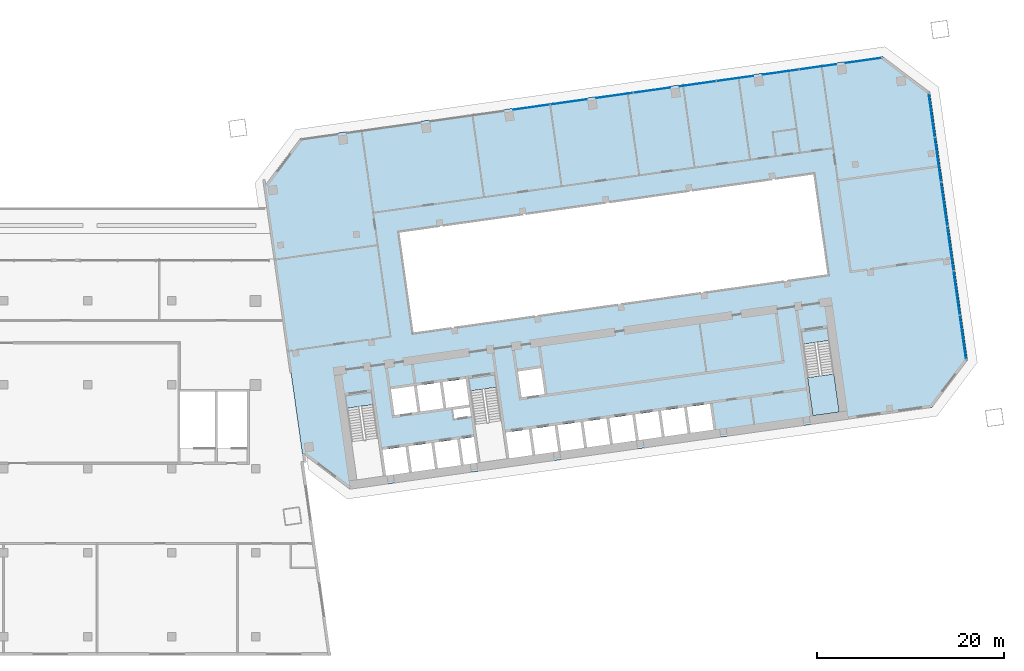
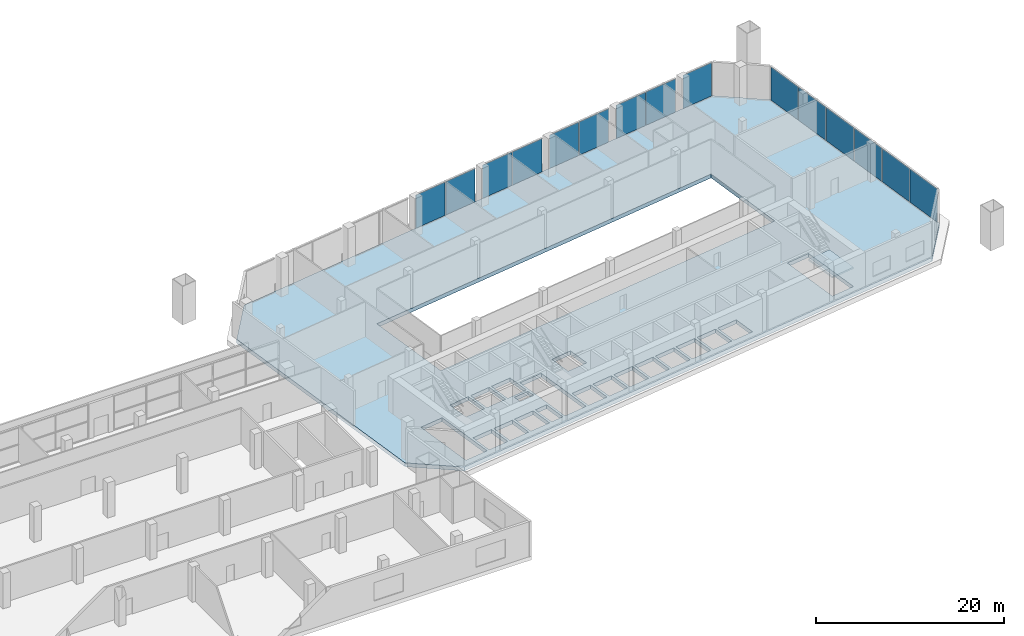
# One storey, part 9 of 21: 15 plates, 2 slabs, 3 elements without a shape of their own.
"""IFC4 building model written with IfcOpenShell, lengths in metres."""

import ifcopenshell
import ifcopenshell.guid

model = None  # the IFC model being written
_history = None  # IfcOwnerHistory: only IFC2X3 demands one
_inside = {}  # id of a spatial element -> (the spatial element, [elements in it])
_under = {}  # id of a project, library or spatial element -> (it, [spatial elements below it])
_declared = {}  # id of a project -> (the project, [libraries it declares])
_typed = {}  # id of a type object -> (the type object, [elements of that type])
_made_of = {}  # id of a material, layer set ... -> (it, [elements and type objects made of it])


def new_model(schema):
    """Start an empty IFC model of exactly this schema.

    Asked for "IFC4X3", IfcOpenShell would pick the latest addendum, in which some entities
    have other attributes; the version numbers below select the first issue.
    IFC2X3 requires an IfcOwnerHistory on every rooted entity: one is made here for all.
    """
    global model, _history
    if schema == "IFC4X3":
        model = ifcopenshell.file(schema_version=(4, 3, 0, 0))
    else:
        model = ifcopenshell.file(schema=schema)
    _inside.clear()
    _under.clear()
    _declared.clear()
    _typed.clear()
    _made_of.clear()
    _history = None
    if model.schema == "IFC2X3":
        org = make("IfcOrganization", Name="unknown")
        user = make(
            "IfcPersonAndOrganization",
            ThePerson=make("IfcPerson", FamilyName="unknown"),
            TheOrganization=org,
        )
        app = make(
            "IfcApplication",
            ApplicationDeveloper=org,
            Version="unknown",
            ApplicationFullName="unknown",
            ApplicationIdentifier="unknown",
        )
        _history = make(
            "IfcOwnerHistory",
            OwningUser=user,
            OwningApplication=app,
            ChangeAction="ADDED",
            CreationDate=0,
        )
    return model


def make(cls, **values):
    """One entity of the class cls with the attributes given. An attribute that is None is left unset."""
    return model.create_entity(
        cls, **{name: value for name, value in values.items() if value is not None}
    )


def rooted(cls, **values):
    """An entity with a GlobalId (a new one), such as an element, a storey or a relation."""
    return make(cls, GlobalId=ifcopenshell.guid.new(), OwnerHistory=_history, **values)


def si_unit(unit_type, name, prefix=None):
    """IfcSIUnit, for example si_unit("LENGTHUNIT", "METRE", prefix="MILLI")."""
    return make("IfcSIUnit", UnitType=unit_type, Prefix=prefix, Name=name)


def assignment(units):
    """IfcUnitAssignment: the units of a project."""
    return None if units is None else make("IfcUnitAssignment", Units=units)


def point(xyz):
    """IfcCartesianPoint."""
    return None if xyz is None else make("IfcCartesianPoint", Coordinates=xyz)


def direction(xyz):
    """IfcDirection."""
    return None if xyz is None else make("IfcDirection", DirectionRatios=xyz)


def frame(location, z_axis=None, x_axis=None):
    """IfcAxis2Placement3D, a coordinate frame: its origin and axes. An axis left out is left unset."""
    return make(
        "IfcAxis2Placement3D",
        Location=point(location),
        Axis=direction(z_axis),
        RefDirection=direction(x_axis),
    )


def frame_2d(location, x_axis=None):
    """IfcAxis2Placement2D, a coordinate frame in the plane: its origin and x axis."""
    return make(
        "IfcAxis2Placement2D", Location=point(location), RefDirection=direction(x_axis)
    )


def origin():
    """The frame at (0, 0, 0) with its axes left unset."""
    return frame((0.0, 0.0, 0.0))


def origin_2d():
    """The frame at (0, 0) in the plane with its x axis left unset."""
    return frame_2d((0.0, 0.0))


def place(relative_to, where):
    """IfcLocalPlacement: puts the frame where relative to a parent placement (None: the world)."""
    return make(
        "IfcLocalPlacement", PlacementRelTo=relative_to, RelativePlacement=where
    )


def context(
    kind, dimensions, precision=None, world=None, true_north=None, identifier=None
):
    """IfcGeometricRepresentationContext, for example the 3D "Model" context."""
    return make(
        "IfcGeometricRepresentationContext",
        ContextIdentifier=identifier,
        ContextType=kind,
        CoordinateSpaceDimension=dimensions,
        Precision=precision,
        WorldCoordinateSystem=world,
        TrueNorth=true_north,
    )


def subcontext(parent, identifier, kind, view, scale=None):
    """IfcGeometricRepresentationSubContext, for example "Body" below "Model"."""
    return make(
        "IfcGeometricRepresentationSubContext",
        ContextIdentifier=identifier,
        ContextType=kind,
        ParentContext=parent,
        TargetScale=scale,
        TargetView=view,
    )


def project(units=None, contexts=None):
    """IfcProject with its units and contexts."""
    return rooted(
        "IfcProject",
        Name="project",
        RepresentationContexts=contexts,
        UnitsInContext=assignment(units),
    )


def spatial(cls, under=None, at=None, **own):
    """A site, building, storey or space (cls), placed at a placement, below another one or the project."""
    s = rooted(cls, ObjectPlacement=at, **own)
    if under is not None:
        _under.setdefault(under.id(), (under, []))[1].append(s)
    return s


def polyline(points):
    """IfcPolyline through the points."""
    return make("IfcPolyline", Points=[point(p) for p in points])


def profile(cls, at=None, kind="AREA", **sizes):
    """A parametric profile (cls). Its sizes go by their IFC names, for example OverallWidth=200.0."""
    return make(cls, ProfileType=kind, Position=at, **sizes)


def rectangle(**sizes):
    """IfcRectangleProfileDef."""
    return profile("IfcRectangleProfileDef", **sizes)


def outline(outer, holes=None, kind="AREA"):
    """IfcArbitraryClosedProfileDef: a profile drawn as a closed curve; with holes, ...WithVoids."""
    if holes is None:
        return make("IfcArbitraryClosedProfileDef", ProfileType=kind, OuterCurve=outer)
    return make(
        "IfcArbitraryProfileDefWithVoids",
        ProfileType=kind,
        OuterCurve=outer,
        InnerCurves=holes,
    )


def extrude(swept, where, along, depth):
    """IfcExtrudedAreaSolid: the profile swept, set in the frame where, extruded along a direction by depth."""
    return make(
        "IfcExtrudedAreaSolid",
        SweptArea=swept,
        Position=where,
        ExtrudedDirection=direction(along),
        Depth=depth,
    )


def shape(context_of_items, identifier, shape_type, items):
    """IfcShapeRepresentation: the items that make up one representation, for example the "Body"."""
    return make(
        "IfcShapeRepresentation",
        ContextOfItems=context_of_items,
        RepresentationIdentifier=identifier,
        RepresentationType=shape_type,
        Items=items,
    )


def material(Name=None, Category=None):
    """IfcMaterial."""
    return make("IfcMaterial", Name=Name, Category=Category)


def layer(
    of_material, thickness, ventilated=None, Name=None, Category=None, Priority=None
):
    """IfcMaterialLayer: one layer of a wall or slab, of a material (None: an air gap)."""
    return make(
        "IfcMaterialLayer",
        Material=of_material,
        LayerThickness=thickness,
        IsVentilated=ventilated,
        Name=Name,
        Category=Category,
        Priority=Priority,
    )


def layer_set(layers, Name=None):
    """IfcMaterialLayerSet."""
    return make("IfcMaterialLayerSet", MaterialLayers=layers, LayerSetName=Name)


def made_of(thing, what):
    """Note that an element or type object is made of a material, layer set ...; save() writes the relation."""
    if what is not None:
        _made_of.setdefault(what.id(), (what, []))[1].append(thing)
    return thing


def type_object(cls, material=None, **own):
    """A type object (cls), such as IfcWallType, which elements share."""
    return made_of(rooted(cls, **own), material)


def element(
    cls,
    number,
    at=None,
    inside=None,
    cuts=None,
    type_object=None,
    material=None,
    context=None,
    identifier="Body",
    shape_type=None,
    held_by="IfcProductDefinitionShape",
    body=None,
    shapes=None,
    **own,
):
    """One element of the class cls, such as IfcWall. Its Tag is "e" and its number.

    at: its placement. inside: the storey or other place that contains it. cuts: it is an
    opening in that element (IfcRelVoidsElement). A single representation is given by context,
    identifier, shape_type and body (its items); several are given by shapes. held_by: the class
    of the entity that holds the representations. save() writes the other relations.
    """
    e = rooted(cls, Tag="e%d" % number, ObjectPlacement=at, **own)
    if body is not None:
        shapes = [shape(context, identifier, shape_type, body)]
    if shapes is not None:
        e.Representation = make(held_by, Representations=shapes)
    if inside is not None:
        _inside.setdefault(inside.id(), (inside, []))[1].append(e)
    if cuts is not None:
        rooted(
            "IfcRelVoidsElement", RelatingBuildingElement=cuts, RelatedOpeningElement=e
        )
    if type_object is not None:
        _typed.setdefault(type_object.id(), (type_object, []))[1].append(e)
    return made_of(e, material)


def aggregate(whole, parts):
    """IfcRelAggregates: a whole, such as a stair, and the parts it consists of."""
    return rooted("IfcRelAggregates", RelatingObject=whole, RelatedObjects=parts)


def save(model, path):
    """Write the relations noted so far, then the file.

    IfcRelAggregates (storeys below a building ...), IfcRelContainedInSpatialStructure (elements
    in a storey), IfcRelDefinesByType, IfcRelAssociatesMaterial and IfcRelDeclares: one each for
    every whole, place, type object, material and project.
    """
    for whole, parts in _under.values():
        aggregate(whole, parts)
    for where, things in _inside.values():
        rooted(
            "IfcRelContainedInSpatialStructure",
            RelatedElements=things,
            RelatingStructure=where,
        )
    for kind, things in _typed.values():
        rooted("IfcRelDefinesByType", RelatedObjects=things, RelatingType=kind)
    for what, things in _made_of.values():
        rooted("IfcRelAssociatesMaterial", RelatedObjects=things, RelatingMaterial=what)
    for by, libraries in _declared.values():
        rooted("IfcRelDeclares", RelatingContext=by, RelatedDefinitions=libraries)
    model.write(path)


model = new_model("IFC4")

# Units and contexts
model_context = context("Model", 3, precision=1e-05, world=origin(), true_north=direction((0.0, 1.0)))
body_context = subcontext(model_context, "Body", "Model", "MODEL_VIEW")
ifc_project = project(units=[si_unit("LENGTHUNIT", "METRE"), si_unit("AREAUNIT", "SQUARE_METRE"), si_unit("VOLUMEUNIT", "CUBIC_METRE"), si_unit("PLANEANGLEUNIT", "RADIAN"), si_unit("MASSUNIT", "GRAM", prefix="KILO")], contexts=[model_context])

# Site, building, storey
site_placement = place(None, origin())
site = spatial("IfcSite", under=ifc_project, at=site_placement, CompositionType="ELEMENT")
building_placement = place(site_placement, origin())
building = spatial("IfcBuilding", under=site, at=building_placement, Name="Mirante Cascada Hotel Towers", CompositionType="ELEMENT")
storey_placement = place(building_placement, frame((0.0, 0.0, 34.5)))
storey = spatial("IfcBuildingStorey", under=building, at=storey_placement, Name="L05", CompositionType="ELEMENT", Elevation=34.5)

# Curtain wall, plates
ifc_material_1 = material(Name="Aluminium mullion and transom frame with clear laminated glass", Category="aluminium")
curtain_wall_type = type_object("IfcCurtainWallType", Name="Podium curtain wall ECW3", PredefinedType="NOTDEFINED", material=ifc_material_1)
curtain_wall_1_placement = place(storey_placement, origin())
curtain_wall_1 = element("IfcCurtainWall", 1, at=curtain_wall_1_placement, inside=storey, type_object=curtain_wall_type, Name="Front podium glazing T2 L05", PredefinedType="NOTDEFINED")
ifc_material_2 = material(Name="Clear laminated glass", Category="glass")
ifc_layer_1 = layer(ifc_material_2, 0.04)
ifc_layer_set_1 = layer_set([ifc_layer_1], Name="ECW3 glass panel 40")
plate_type = type_object("IfcPlateType", Name="ECW3 glass panel 40", PredefinedType="CURTAIN_PANEL", material=ifc_layer_set_1)
plate_1_placement = place(storey_placement, frame((92.1787, 25.7739, 0.12), z_axis=(0.0, 0.0, 1.0), x_axis=(-0.9902681, -0.1391731, 0.0)))
plate_1 = element("IfcPlate", 2, at=plate_1_placement, type_object=plate_type, Name="ECW3 panel 1", PredefinedType="CURTAIN_PANEL", context=body_context, shape_type="SweptSolid", body=[
    extrude(rectangle(XDim=3.8379, YDim=0.04, at=origin_2d()), origin(), (0.0, 0.0, 1.0), 4.31),
])
plate_2_placement = place(storey_placement, frame((87.2757, 25.0848, 0.12), z_axis=(0.0, 0.0, 1.0), x_axis=(-0.9902681, -0.1391731, 0.0)))
plate_2 = element("IfcPlate", 3, at=plate_2_placement, type_object=plate_type, Name="ECW3 panel 2", PredefinedType="CURTAIN_PANEL", context=body_context, shape_type="SweptSolid", body=[
    extrude(rectangle(XDim=3.9844, YDim=0.04, at=origin_2d()), origin(), (0.0, 0.0, 1.0), 4.31),
])
plate_3_placement = place(storey_placement, frame((83.2949, 24.5254, 0.12), z_axis=(0.0, 0.0, 1.0), x_axis=(-0.9902681, -0.1391731, 0.0)))
plate_3 = element("IfcPlate", 4, at=plate_3_placement, type_object=plate_type, Name="ECW3 panel 3", PredefinedType="CURTAIN_PANEL", context=body_context, shape_type="SweptSolid", body=[
    extrude(rectangle(XDim=3.8956, YDim=0.04, at=origin_2d()), origin(), (0.0, 0.0, 1.0), 4.31),
])
plate_4_placement = place(storey_placement, frame((78.3721, 23.8335, 0.12), z_axis=(0.0, 0.0, 1.0), x_axis=(-0.9902681, -0.1391731, 0.0)))
plate_4 = element("IfcPlate", 5, at=plate_4_placement, type_object=plate_type, Name="ECW3 panel 4", PredefinedType="CURTAIN_PANEL", context=body_context, shape_type="SweptSolid", body=[
    extrude(rectangle(XDim=3.9666, YDim=0.04, at=origin_2d()), origin(), (0.0, 0.0, 1.0), 4.31),
])
plate_5_placement = place(storey_placement, frame((74.3912, 23.274, 0.12), z_axis=(0.0, 0.0, 1.0), x_axis=(-0.9902681, -0.1391731, 0.0)))
plate_5 = element("IfcPlate", 6, at=plate_5_placement, type_object=plate_type, Name="ECW3 panel 5", PredefinedType="CURTAIN_PANEL", context=body_context, shape_type="SweptSolid", body=[
    extrude(rectangle(XDim=3.9134, YDim=0.04, at=origin_2d()), origin(), (0.0, 0.0, 1.0), 4.31),
])
plate_6_placement = place(storey_placement, frame((69.4685, 22.5822, 0.12), z_axis=(0.0, 0.0, 1.0), x_axis=(-0.9902681, -0.1391731, 0.0)))
plate_6 = element("IfcPlate", 7, at=plate_6_placement, type_object=plate_type, Name="ECW3 panel 6", PredefinedType="CURTAIN_PANEL", context=body_context, shape_type="SweptSolid", body=[
    extrude(rectangle(XDim=3.9489, YDim=0.04, at=origin_2d()), origin(), (0.0, 0.0, 1.0), 4.31),
])
plate_7_placement = place(storey_placement, frame((65.4876, 22.0227, 0.12), z_axis=(0.0, 0.0, 1.0), x_axis=(-0.9902681, -0.1391731, 0.0)))
plate_7 = element("IfcPlate", 8, at=plate_7_placement, type_object=plate_type, Name="ECW3 panel 7", PredefinedType="CURTAIN_PANEL", context=body_context, shape_type="SweptSolid", body=[
    extrude(rectangle(XDim=3.9311, YDim=0.04, at=origin_2d()), origin(), (0.0, 0.0, 1.0), 4.31),
])
plate_8_placement = place(storey_placement, frame((60.5649, 21.3309, 0.12), z_axis=(0.0, 0.0, 1.0), x_axis=(-0.9902681, -0.1391731, 0.0)))
plate_8 = element("IfcPlate", 9, at=plate_8_placement, type_object=plate_type, Name="ECW3 panel 8", PredefinedType="CURTAIN_PANEL", context=body_context, shape_type="SweptSolid", body=[
    extrude(rectangle(XDim=3.9311, YDim=0.04, at=origin_2d()), origin(), (0.0, 0.0, 1.0), 4.31),
])
plate_9_placement = place(storey_placement, frame((56.584, 20.7714, 0.12), z_axis=(0.0, 0.0, 1.0), x_axis=(-0.9902681, -0.1391731, 0.0)))
plate_9 = element("IfcPlate", 10, at=plate_9_placement, type_object=plate_type, Name="ECW3 panel 9", PredefinedType="CURTAIN_PANEL", context=body_context, shape_type="SweptSolid", body=[
    extrude(rectangle(XDim=3.9489, YDim=0.04, at=origin_2d()), origin(), (0.0, 0.0, 1.0), 4.31),
])
aggregate(curtain_wall_1, [plate_1, plate_2, plate_3, plate_4, plate_5, plate_6, plate_7, plate_8, plate_9])

curtain_wall_2_placement = place(storey_placement, origin())
curtain_wall_2 = element("IfcCurtainWall", 11, at=curtain_wall_2_placement, inside=storey, type_object=curtain_wall_type, Name="Outer end podium glazing T2 L05", PredefinedType="NOTDEFINED")
plate_10_placement = place(storey_placement, frame((102.8224, -3.8951, 0.12), z_axis=(0.0, 0.0, 1.0), x_axis=(-0.1391731, 0.9902681, 0.0)))
plate_10 = element("IfcPlate", 12, at=plate_10_placement, type_object=plate_type, Name="ECW3 panel 1", PredefinedType="CURTAIN_PANEL", context=body_context, shape_type="SweptSolid", body=[
    extrude(rectangle(XDim=4.6926, YDim=0.04, at=origin_2d()), origin(), (0.0, 0.0, 1.0), 4.31),
])
plate_11_placement = place(storey_placement, frame((102.1554, 0.8509, 0.12), z_axis=(0.0, 0.0, 1.0), x_axis=(-0.1391731, 0.9902681, 0.0)))
plate_11 = element("IfcPlate", 13, at=plate_11_placement, type_object=plate_type, Name="ECW3 panel 2", PredefinedType="CURTAIN_PANEL", context=body_context, shape_type="SweptSolid", body=[
    extrude(rectangle(XDim=4.7326, YDim=0.04, at=origin_2d()), origin(), (0.0, 0.0, 1.0), 4.31),
])
plate_12_placement = place(storey_placement, frame((101.4857, 5.6167, 0.12), z_axis=(0.0, 0.0, 1.0), x_axis=(-0.1391731, 0.9902681, 0.0)))
plate_12 = element("IfcPlate", 14, at=plate_12_placement, type_object=plate_type, Name="ECW3 panel 3", PredefinedType="CURTAIN_PANEL", context=body_context, shape_type="SweptSolid", body=[
    extrude(rectangle(XDim=4.7326, YDim=0.04, at=origin_2d()), origin(), (0.0, 0.0, 1.0), 4.31),
])
plate_13_placement = place(storey_placement, frame((100.8159, 10.3825, 0.12), z_axis=(0.0, 0.0, 1.0), x_axis=(-0.1391731, 0.9902681, 0.0)))
plate_13 = element("IfcPlate", 15, at=plate_13_placement, type_object=plate_type, Name="ECW3 panel 4", PredefinedType="CURTAIN_PANEL", context=body_context, shape_type="SweptSolid", body=[
    extrude(rectangle(XDim=4.7326, YDim=0.04, at=origin_2d()), origin(), (0.0, 0.0, 1.0), 4.31),
])
plate_14_placement = place(storey_placement, frame((100.1461, 15.1483, 0.12), z_axis=(0.0, 0.0, 1.0), x_axis=(-0.1391731, 0.9902681, 0.0)))
plate_14 = element("IfcPlate", 16, at=plate_14_placement, type_object=plate_type, Name="ECW3 panel 5", PredefinedType="CURTAIN_PANEL", context=body_context, shape_type="SweptSolid", body=[
    extrude(rectangle(XDim=4.7326, YDim=0.04, at=origin_2d()), origin(), (0.0, 0.0, 1.0), 4.31),
])
plate_15_placement = place(storey_placement, frame((99.4791, 19.8942, 0.12), z_axis=(0.0, 0.0, 1.0), x_axis=(-0.1391731, 0.9902681, 0.0)))
plate_15 = element("IfcPlate", 17, at=plate_15_placement, type_object=plate_type, Name="ECW3 panel 6", PredefinedType="CURTAIN_PANEL", context=body_context, shape_type="SweptSolid", body=[
    extrude(rectangle(XDim=4.6926, YDim=0.04, at=origin_2d()), origin(), (0.0, 0.0, 1.0), 4.31),
])
aggregate(curtain_wall_2, [plate_10, plate_11, plate_12, plate_13, plate_14, plate_15])

# Stair, slab
ifc_material_3 = material(Name="Concrete C35/45", Category="concrete")
stair_type = type_object("IfcStairType", Name="Exit stair half-turn 1350 concrete C35/45", PredefinedType="HALF_TURN_STAIR", material=ifc_material_3)
stair_placement = place(storey_placement, origin())
stair = element("IfcStair", 18, at=stair_placement, inside=storey, type_object=stair_type, Name="L05 Exit stair C", PredefinedType="HALF_TURN_STAIR")
ifc_material_4 = material(Name="Concrete C35/45", Category="concrete")
ifc_layer_2 = layer(ifc_material_4, 0.2)
ifc_layer_set_2 = layer_set([ifc_layer_2], Name="Exit stair landing 200 concrete C35/45")
slab_type_1 = type_object("IfcSlabType", Name="Exit stair landing 200 concrete C35/45", PredefinedType="LANDING", material=ifc_layer_set_2)
slab_1_placement = place(storey_placement, frame((0.0, 0.0, 2.3)))
slab_1 = element("IfcSlab", 19, at=slab_1_placement, type_object=slab_type_1, Name="ST2-C landing 1", PredefinedType="LANDING", context=body_context, shape_type="SweptSolid", body=[
    extrude(outline(polyline([(86.1631, -8.2262), (86.7362, -12.3041), (89.5585, -11.9075), (88.9854, -7.8296), (86.1631, -8.2262)])), origin(), (0.0, 0.0, 1.0), 0.2),
])
aggregate(stair, [slab_1])

# Slab
ifc_material_5 = material(Name="Concrete C40/50", Category="concrete")
ifc_layer_3 = layer(ifc_material_5, 0.5)
ifc_layer_set_3 = layer_set([ifc_layer_3], Name="Post-tensioned flat plate 500 Concrete C40/50")
slab_type_2 = type_object("IfcSlabType", Name="Post-tensioned flat plate 500 Concrete C40/50", PredefinedType="FLOOR", material=ifc_layer_set_3)
slab_2_placement = place(storey_placement, frame((0.0, 0.0, -0.5)))
element("IfcSlab", 20, at=slab_2_placement, inside=storey, type_object=slab_type_2, Name="Floor T2 L05", PredefinedType="FLOOR", context=body_context, shape_type="SweptSolid", body=[
    extrude(outline(polyline([(32.018, -16.3589), (27.982, 12.3589), (31.8119, 17.4414), (94.1988, 26.2093), (99.2813, 22.3794), (103.3173, -6.3384), (99.4874, -11.4209), (37.1005, -20.1888), (32.018, -16.3589)]), holes=[polyline([(43.0718, -15.6132), (40.5961, -15.9612), (40.9858, -18.7339), (43.4615, -18.386), (43.0718, -15.6132)]), polyline([(45.8446, -15.2236), (43.3689, -15.5715), (43.7586, -18.3442), (46.2342, -17.9963), (45.8446, -15.2236)]), polyline([(48.6173, -14.8339), (46.1416, -15.1818), (46.5313, -17.9546), (49.007, -17.6066), (48.6173, -14.8339)]), polyline([(50.7895, -17.3561), (50.3998, -14.5834), (48.9144, -14.7921), (49.3041, -17.5649), (50.7895, -17.3561)]), polyline([(56.6816, -16.528), (56.2919, -13.7553), (53.8162, -14.1032), (54.2059, -16.876), (56.6816, -16.528)]), polyline([(37.8665, -19.1723), (40.6887, -18.7757), (39.611, -11.107), (36.7887, -11.5037), (37.8665, -19.1723)]), polyline([(51.0866, -17.3144), (53.9088, -16.9177), (52.8311, -9.2491), (50.0088, -9.6457), (51.0866, -17.3144)]), polyline([(49.9544, -11.4145), (48.1472, -11.6685), (48.2829, -12.634), (50.0901, -12.38), (49.9544, -11.4145)]), polyline([(44.3672, -11.8968), (43.9775, -9.124), (41.5018, -9.472), (41.8915, -12.2447), (44.3672, -11.8968)]), polyline([(47.1399, -11.5071), (46.7503, -8.7344), (44.2746, -9.0823), (44.6643, -11.855), (47.1399, -11.5071)]), polyline([(49.523, -8.3447), (47.0473, -8.6926), (47.437, -11.4654), (49.9127, -11.1174), (49.523, -8.3447)]), polyline([(59.0646, -13.3656), (56.589, -13.7135), (56.9787, -16.4863), (59.4543, -16.1383), (59.0646, -13.3656)]), polyline([(61.8374, -12.9759), (59.3617, -13.3238), (59.7514, -16.0966), (62.2271, -15.7487), (61.8374, -12.9759)]), polyline([(64.9998, -15.359), (64.6101, -12.5862), (62.1345, -12.9342), (62.5242, -15.7069), (64.9998, -15.359)]), polyline([(67.7726, -14.9693), (67.3829, -12.1965), (64.9072, -12.5445), (65.2969, -15.3172), (67.7726, -14.9693)]), polyline([(70.1556, -11.8069), (67.68, -12.1548), (68.0697, -14.9275), (70.5453, -14.5796), (70.1556, -11.8069)]), polyline([(73.3181, -14.1899), (72.9284, -11.4172), (70.4527, -11.7651), (70.8424, -14.5379), (73.3181, -14.1899)]), polyline([(76.0908, -13.8002), (75.7011, -11.0275), (73.2255, -11.3754), (73.6152, -14.1482), (76.0908, -13.8002)]), polyline([(86.7362, -12.3041), (89.5585, -11.9075), (88.4807, -4.2388), (85.6585, -4.6355), (86.7362, -12.3041)]), polyline([(57.9834, -9.9832), (57.5937, -7.2104), (55.118, -7.5583), (55.5077, -10.3311), (57.9834, -9.9832)]), polyline([(88.4039, 2.7747), (86.873, 13.6677), (42.3109, 7.4049), (43.8418, -3.4881), (88.4039, 2.7747)])]), origin(), (0.0, 0.0, 1.0), 0.5),
])

save(model, "model.ifc")
